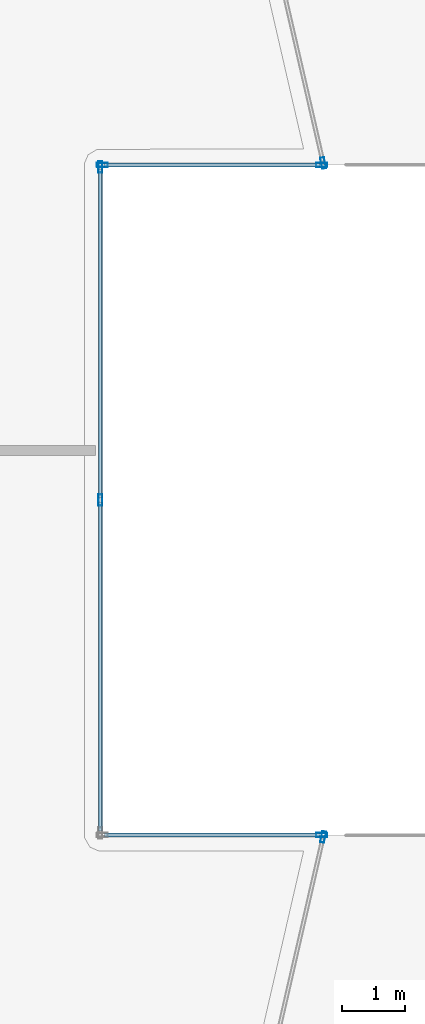
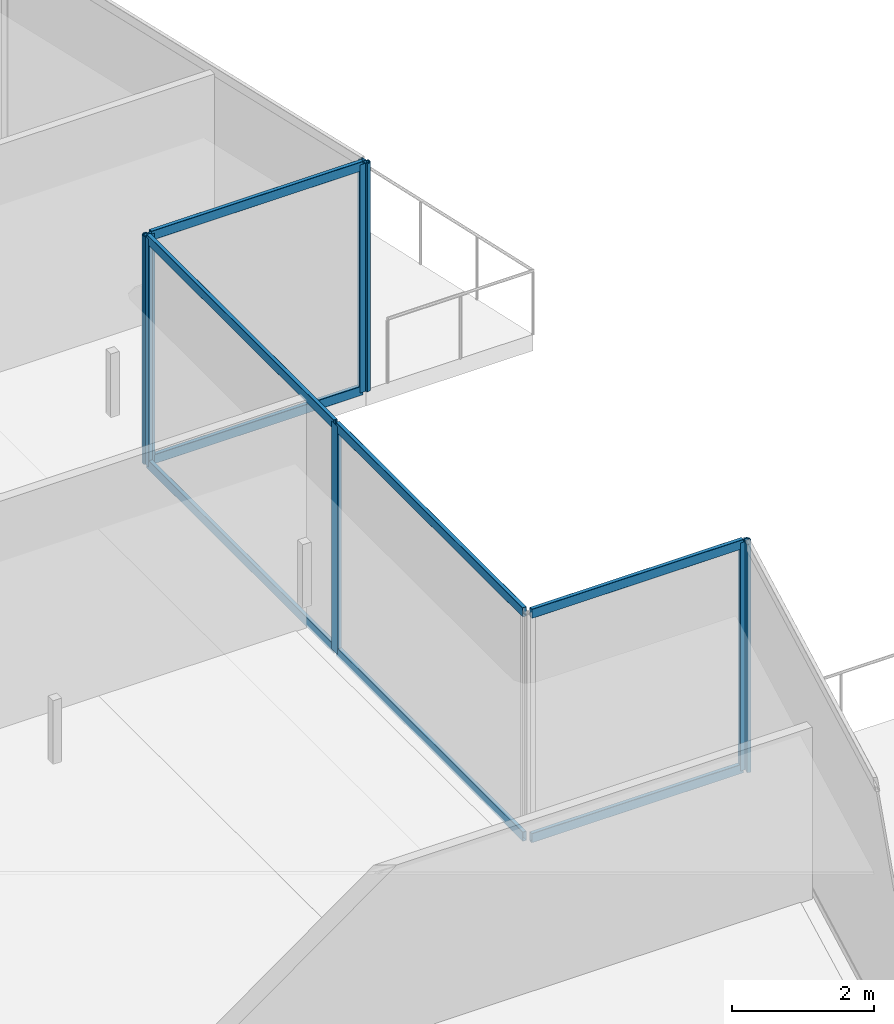
# One storey, part 24 of 45: 15 members, 5 elements without a shape of their own.
"""IFC4 building model written with IfcOpenShell, lengths in metres."""

from ifc_helpers import new_model, si_unit, direction, frame, origin, origin_2d, place, context, subcontext, project, spatial, hollow_rectangle, extrude, material, layer, layer_set, material_profile, profile_set, type_object, element, aggregate, save


model = new_model("IFC4")

# Units and contexts
model_context = context("Model", 3, precision=1e-05, world=origin(), true_north=direction((0.0, 1.0)))
body_context = subcontext(model_context, "Body", "Model", "MODEL_VIEW")
ifc_project = project(units=[si_unit("LENGTHUNIT", "METRE"), si_unit("AREAUNIT", "SQUARE_METRE"), si_unit("VOLUMEUNIT", "CUBIC_METRE"), si_unit("PLANEANGLEUNIT", "RADIAN"), si_unit("MASSUNIT", "GRAM", prefix="KILO")], contexts=[model_context])

# Site, building, storey
site_placement = place(None, origin())
site = spatial("IfcSite", under=ifc_project, at=site_placement, CompositionType="ELEMENT")
building_placement = place(site_placement, origin())
building = spatial("IfcBuilding", under=site, at=building_placement, Name="Qorvath Tower", CompositionType="ELEMENT")
storey_placement = place(building_placement, frame((0.0, 0.0, 49.199951171875)))
storey = spatial("IfcBuildingStorey", under=building, at=storey_placement, Name="L10", CompositionType="ELEMENT", Elevation=49.199951171875)

# Curtain wall, member
ifc_material_1 = material(Name="Anodised aluminium and triple low-E glass", Category="aluminium")
ifc_layer = layer(ifc_material_1, 0.179931640625)
ifc_layer_set = layer_set([ifc_layer], Name="CW-SYS-2")
curtain_wall_type = type_object("IfcCurtainWallType", Name="CW-SYS-2", PredefinedType="NOTDEFINED", material=ifc_layer_set)
curtain_wall_1_placement = place(storey_placement, origin())
curtain_wall_1 = element("IfcCurtainWall", 1, at=curtain_wall_1_placement, inside=storey, type_object=curtain_wall_type, Name="Curtain Wall CW-2 CW-T-L10-7.1", PredefinedType="NOTDEFINED")
ifc_material_2 = material(Name="Anodised aluminium 6063-T6", Category="aluminium")
ifc_material_profile_1 = material_profile(ifc_material_2, hollow_rectangle(XDim=0.06494140625, YDim=0.179931640625, WallThickness=0.00341796875, InnerFilletRadius=0.00341796875, OuterFilletRadius=0.007080078125, at=origin_2d()), Name="CWM 180x65")
ifc_profile_set_1 = profile_set([ifc_material_profile_1], Name="Anodised aluminium 6063-T6")
member_type_1 = type_object("IfcMemberType", Name="CWM-180", PredefinedType="MULLION", material=ifc_profile_set_1)
member_1_placement = place(storey_placement, frame((7.306884765625, -5.388427734375, 0.0), z_axis=(0.0, 0.0, 1.0), x_axis=(-0.974466004857, 0.224535087188, 0.0)))
member_1 = element("IfcMember", 2, at=member_1_placement, type_object=member_type_1, Name="CW-2 mullion 2", PredefinedType="MULLION", context=body_context, shape_type="SweptSolid", body=[
    extrude(hollow_rectangle(XDim=0.06494140625, YDim=0.179931640625, WallThickness=0.00341796875, InnerFilletRadius=0.00341796875, OuterFilletRadius=0.007080078125, at=origin_2d()), origin(), (0.0, 0.0, 1.0), 3.920166015625),
])
aggregate(curtain_wall_1, [member_1])

curtain_wall_2_placement = place(storey_placement, origin())
curtain_wall_2 = element("IfcCurtainWall", 3, at=curtain_wall_2_placement, inside=storey, type_object=curtain_wall_type, Name="Curtain Wall CW-2 CW-T-L10-8.1", PredefinedType="NOTDEFINED")
member_2_placement = place(storey_placement, frame((7.28173828125, -5.356689453125, 0.0), z_axis=(0.0, 0.0, 1.0), x_axis=(0.0, -1.0, 0.0)))
member_2 = element("IfcMember", 4, at=member_2_placement, type_object=member_type_1, Name="CW-2 mullion 1", PredefinedType="MULLION", context=body_context, shape_type="SweptSolid", body=[
    extrude(hollow_rectangle(XDim=0.06494140625, YDim=0.179931640625, WallThickness=0.00341796875, InnerFilletRadius=0.00341796875, OuterFilletRadius=0.007080078125, at=origin_2d()), origin(), (0.0, 0.0, 1.0), 3.920166015625),
])

# Curtain wall, members
curtain_wall_3_placement = place(storey_placement, origin())
curtain_wall_3 = element("IfcCurtainWall", 5, at=curtain_wall_3_placement, inside=storey, type_object=curtain_wall_type, Name="Curtain Wall CW-2 CW-T-L10-9.1", PredefinedType="NOTDEFINED")
member_3_placement = place(storey_placement, frame((3.742919921875, 0.0, 0.0), z_axis=(0.0, 0.0, 1.0), x_axis=(-1.0, 0.0, 0.0)))
member_3 = element("IfcMember", 6, at=member_3_placement, type_object=member_type_1, Name="CW-2 mullion 2", PredefinedType="MULLION", context=body_context, shape_type="SweptSolid", body=[
    extrude(hollow_rectangle(XDim=0.06494140625, YDim=0.179931640625, WallThickness=0.00341796875, InnerFilletRadius=0.00341796875, OuterFilletRadius=0.007080078125, at=origin_2d()), origin(), (0.0, 0.0, 1.0), 3.920166015625),
])
member_4_placement = place(storey_placement, frame((3.742919921875, 5.32421875, 0.0), z_axis=(0.0, 0.0, 1.0), x_axis=(-1.0, 0.0, 0.0)))
member_4 = element("IfcMember", 7, at=member_4_placement, type_object=member_type_1, Name="CW-2 mullion 3", PredefinedType="MULLION", context=body_context, shape_type="SweptSolid", body=[
    extrude(hollow_rectangle(XDim=0.06494140625, YDim=0.179931640625, WallThickness=0.00341796875, InnerFilletRadius=0.00341796875, OuterFilletRadius=0.007080078125, at=origin_2d()), origin(), (0.0, 0.0, 1.0), 3.920166015625),
])

curtain_wall_4_placement = place(storey_placement, origin())
curtain_wall_4 = element("IfcCurtainWall", 8, at=curtain_wall_4_placement, inside=storey, type_object=curtain_wall_type, Name="Curtain Wall CW-2 CW-T-L10-10.1", PredefinedType="NOTDEFINED")
member_5_placement = place(storey_placement, frame((3.775390625, 5.356689453125, 0.0), z_axis=(0.0, 0.0, 1.0), x_axis=(0.0, 1.0, 0.0)))
member_5 = element("IfcMember", 9, at=member_5_placement, type_object=member_type_1, Name="CW-2 mullion 1", PredefinedType="MULLION", context=body_context, shape_type="SweptSolid", body=[
    extrude(hollow_rectangle(XDim=0.06494140625, YDim=0.179931640625, WallThickness=0.00341796875, InnerFilletRadius=0.00341796875, OuterFilletRadius=0.007080078125, at=origin_2d()), origin(), (0.0, 0.0, 1.0), 3.920166015625),
])
member_6_placement = place(storey_placement, frame((7.28173828125, 5.356689453125, 0.0), z_axis=(0.0, 0.0, 1.0), x_axis=(0.0, 1.0, 0.0)))
member_6 = element("IfcMember", 10, at=member_6_placement, type_object=member_type_1, Name="CW-2 mullion 2", PredefinedType="MULLION", context=body_context, shape_type="SweptSolid", body=[
    extrude(hollow_rectangle(XDim=0.06494140625, YDim=0.179931640625, WallThickness=0.00341796875, InnerFilletRadius=0.00341796875, OuterFilletRadius=0.007080078125, at=origin_2d()), origin(), (0.0, 0.0, 1.0), 3.920166015625),
])

# Curtain wall, member
curtain_wall_5_placement = place(storey_placement, origin())
curtain_wall_5 = element("IfcCurtainWall", 11, at=curtain_wall_5_placement, inside=storey, type_object=curtain_wall_type, Name="Curtain Wall CW-2 CW-T-L10-11.1", PredefinedType="NOTDEFINED")
member_7_placement = place(storey_placement, frame((7.306884765625, 5.388427734375, 0.0), z_axis=(0.0, 0.0, 1.0), x_axis=(-0.974466004857, -0.224535087188, 0.0)))
member_7 = element("IfcMember", 12, at=member_7_placement, type_object=member_type_1, Name="CW-2 mullion 1", PredefinedType="MULLION", context=body_context, shape_type="SweptSolid", body=[
    extrude(hollow_rectangle(XDim=0.06494140625, YDim=0.179931640625, WallThickness=0.00341796875, InnerFilletRadius=0.00341796875, OuterFilletRadius=0.007080078125, at=origin_2d()), origin(), (0.0, 0.0, 1.0), 3.920166015625),
])
aggregate(curtain_wall_5, [member_7])

# Member
ifc_material_3 = material(Name="Anodised aluminium 6063-T6", Category="aluminium")
ifc_material_profile_2 = material_profile(ifc_material_3, hollow_rectangle(XDim=0.06494140625, YDim=0.159912109375, WallThickness=0.00341796875, InnerFilletRadius=0.00341796875, OuterFilletRadius=0.007080078125, at=origin_2d()), Name="CWT 160x65")
ifc_profile_set_2 = profile_set([ifc_material_profile_2], Name="Anodised aluminium 6063-T6")
member_type_2 = type_object("IfcMemberType", Name="CWT-160", PredefinedType="USERDEFINED", material=ifc_profile_set_2)
member_8_placement = place(storey_placement, frame((7.249267578125, -5.356689453125, 0.032470703125), z_axis=(-1.0, 0.0, 0.0), x_axis=(0.0, -1.0, 0.0)))
member_8 = element("IfcMember", 13, at=member_8_placement, type_object=member_type_2, Name="CW-2 transom 1.1", ObjectType="TRANSOM", PredefinedType="USERDEFINED", context=body_context, shape_type="SweptSolid", body=[
    extrude(hollow_rectangle(XDim=0.06494140625, YDim=0.159912109375, WallThickness=0.00341796875, InnerFilletRadius=0.00341796875, OuterFilletRadius=0.007080078125, at=origin_2d()), origin(), (0.0, 0.0, 1.0), 3.44140625),
])

member_9_placement = place(storey_placement, frame((7.249267578125, -5.356689453125, 3.8876953125), z_axis=(-1.0, 0.0, 0.0), x_axis=(0.0, -1.0, 0.0)))
member_9 = element("IfcMember", 14, at=member_9_placement, type_object=member_type_2, Name="CW-2 transom 1.2", ObjectType="TRANSOM", PredefinedType="USERDEFINED", context=body_context, shape_type="SweptSolid", body=[
    extrude(hollow_rectangle(XDim=0.06494140625, YDim=0.159912109375, WallThickness=0.00341796875, InnerFilletRadius=0.00341796875, OuterFilletRadius=0.007080078125, at=origin_2d()), origin(), (0.0, 0.0, 1.0), 3.44140625),
])

aggregate(curtain_wall_2, [member_2, member_8, member_9])

member_10_placement = place(storey_placement, frame((3.742919921875, -5.291748046875, 0.032470703125), z_axis=(0.0, 1.0, 0.0), x_axis=(-1.0, 0.0, 0.0)))
member_10 = element("IfcMember", 15, at=member_10_placement, type_object=member_type_2, Name="CW-2 transom 1.1", ObjectType="TRANSOM", PredefinedType="USERDEFINED", context=body_context, shape_type="SweptSolid", body=[
    extrude(hollow_rectangle(XDim=0.06494140625, YDim=0.159912109375, WallThickness=0.00341796875, InnerFilletRadius=0.00341796875, OuterFilletRadius=0.007080078125, at=origin_2d()), origin(), (0.0, 0.0, 1.0), 5.25927734375),
])

member_11_placement = place(storey_placement, frame((3.742919921875, -5.291748046875, 3.8876953125), z_axis=(0.0, 1.0, 0.0), x_axis=(-1.0, 0.0, 0.0)))
member_11 = element("IfcMember", 16, at=member_11_placement, type_object=member_type_2, Name="CW-2 transom 1.2", ObjectType="TRANSOM", PredefinedType="USERDEFINED", context=body_context, shape_type="SweptSolid", body=[
    extrude(hollow_rectangle(XDim=0.06494140625, YDim=0.159912109375, WallThickness=0.00341796875, InnerFilletRadius=0.00341796875, OuterFilletRadius=0.007080078125, at=origin_2d()), origin(), (0.0, 0.0, 1.0), 5.25927734375),
])

member_12_placement = place(storey_placement, frame((3.742919921875, 0.032470703125, 0.032470703125), z_axis=(0.0, 1.0, 0.0), x_axis=(-1.0, 0.0, 0.0)))
member_12 = element("IfcMember", 17, at=member_12_placement, type_object=member_type_2, Name="CW-2 transom 2.1", ObjectType="TRANSOM", PredefinedType="USERDEFINED", context=body_context, shape_type="SweptSolid", body=[
    extrude(hollow_rectangle(XDim=0.06494140625, YDim=0.159912109375, WallThickness=0.00341796875, InnerFilletRadius=0.00341796875, OuterFilletRadius=0.007080078125, at=origin_2d()), origin(), (0.0, 0.0, 1.0), 5.25927734375),
])

member_13_placement = place(storey_placement, frame((3.742919921875, 0.032470703125, 3.8876953125), z_axis=(0.0, 1.0, 0.0), x_axis=(-1.0, 0.0, 0.0)))
member_13 = element("IfcMember", 18, at=member_13_placement, type_object=member_type_2, Name="CW-2 transom 2.2", ObjectType="TRANSOM", PredefinedType="USERDEFINED", context=body_context, shape_type="SweptSolid", body=[
    extrude(hollow_rectangle(XDim=0.06494140625, YDim=0.159912109375, WallThickness=0.00341796875, InnerFilletRadius=0.00341796875, OuterFilletRadius=0.007080078125, at=origin_2d()), origin(), (0.0, 0.0, 1.0), 5.25927734375),
])

aggregate(curtain_wall_3, [member_3, member_4, member_10, member_11, member_12, member_13])

member_14_placement = place(storey_placement, frame((3.807861328125, 5.356689453125, 0.032470703125), z_axis=(1.0, 0.0, 0.0), x_axis=(0.0, 1.0, 0.0)))
member_14 = element("IfcMember", 19, at=member_14_placement, type_object=member_type_2, Name="CW-2 transom 1.1", ObjectType="TRANSOM", PredefinedType="USERDEFINED", context=body_context, shape_type="SweptSolid", body=[
    extrude(hollow_rectangle(XDim=0.06494140625, YDim=0.159912109375, WallThickness=0.00341796875, InnerFilletRadius=0.00341796875, OuterFilletRadius=0.007080078125, at=origin_2d()), origin(), (0.0, 0.0, 1.0), 3.44140625),
])

member_15_placement = place(storey_placement, frame((3.807861328125, 5.356689453125, 3.8876953125), z_axis=(1.0, 0.0, 0.0), x_axis=(0.0, 1.0, 0.0)))
member_15 = element("IfcMember", 20, at=member_15_placement, type_object=member_type_2, Name="CW-2 transom 1.2", ObjectType="TRANSOM", PredefinedType="USERDEFINED", context=body_context, shape_type="SweptSolid", body=[
    extrude(hollow_rectangle(XDim=0.06494140625, YDim=0.159912109375, WallThickness=0.00341796875, InnerFilletRadius=0.00341796875, OuterFilletRadius=0.007080078125, at=origin_2d()), origin(), (0.0, 0.0, 1.0), 3.44140625),
])

aggregate(curtain_wall_4, [member_5, member_6, member_14, member_15])

save(model, "model.ifc")
